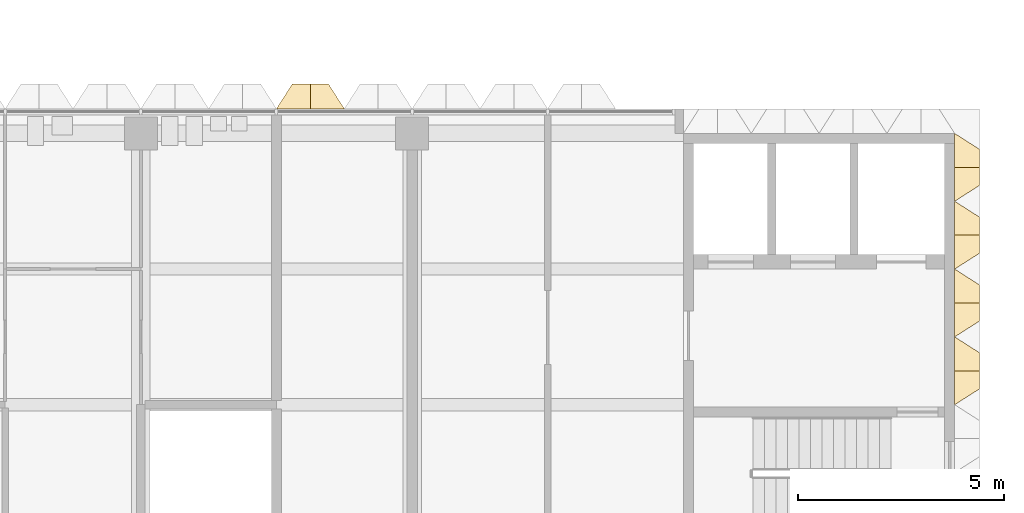
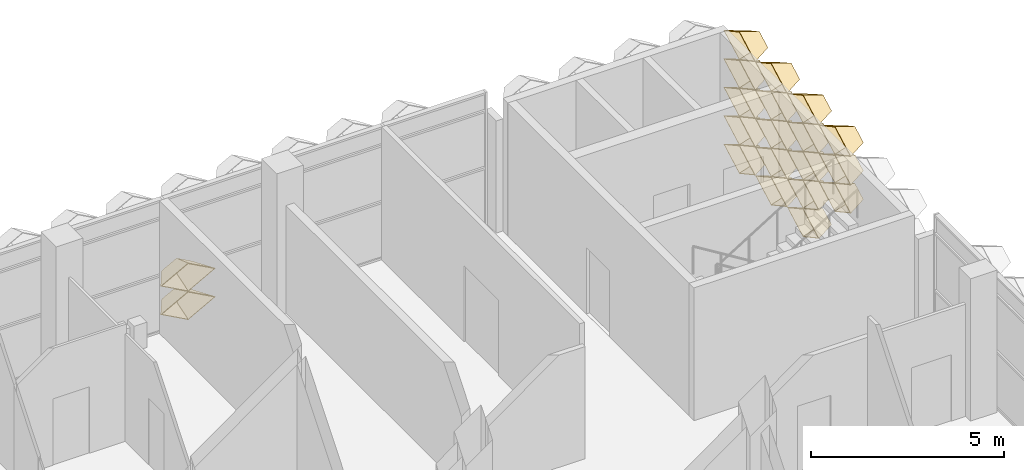
# One storey, part 35 of 39: 20 coverings.
"""IFC4 building model written with IfcOpenShell, lengths in metres."""

from ifc_helpers import new_model, entity, si_unit, direction, frame, origin, place, context, subcontext, project, spatial, material, layer, layer_set, type_object, element, save


model = new_model("IFC4")

# Units and contexts
model_context = context("Model", 3, precision=1e-05, world=origin(), true_north=direction((0.0, 1.0)))
body_context = subcontext(model_context, "Body", "Model", "MODEL_VIEW")
ifc_project = project(units=[si_unit("LENGTHUNIT", "METRE"), si_unit("AREAUNIT", "SQUARE_METRE"), si_unit("VOLUMEUNIT", "CUBIC_METRE"), si_unit("PLANEANGLEUNIT", "RADIAN"), si_unit("MASSUNIT", "GRAM", prefix="KILO")], contexts=[model_context])

# Site, building, storey
site_placement = place(None, origin())
site = spatial("IfcSite", under=ifc_project, at=site_placement, CompositionType="ELEMENT")
building_placement = place(site_placement, origin())
building = spatial("IfcBuilding", under=site, at=building_placement, Name="Lantern Court Research Institute", CompositionType="ELEMENT")
storey_placement = place(building_placement, frame((0.0, 0.0, 27.89990234375)))
storey = spatial("IfcBuildingStorey", under=building, at=storey_placement, Name="L06", CompositionType="ELEMENT", Elevation=27.89990234375)

# Coverings
ifc_material = material(Name="Anodised aluminium", Category="aluminium")
ifc_layer = layer(ifc_material, 0.01611328125)
ifc_layer_set = layer_set([ifc_layer], Name="Anodised aluminium")
covering_type = type_object("IfcCoveringType", Name="Fin cassette 1650 x 900 x 600 aluminium", PredefinedType="CLADDING", material=ifc_layer_set)
covering_1_placement = place(storey_placement, frame((79.199951171875, 18.97509765625, 0.4501953125), z_axis=(1.0, 0.0, 0.0), x_axis=(0.0, 1.0, 0.0)))
cartesian_point_1 = entity("IfcCartesianPoint", [0.824951171875, 0.0])
cartesian_point_2 = entity("IfcCartesianPoint", [0.79150390625, 0.0])
cartesian_point_3 = entity("IfcCartesianPoint", [0.44189453125, 0.0])
cartesian_point_4 = entity("IfcCartesianPoint", [0.43359375, 0.0])
element("IfcCovering", 1, at=covering_1_placement, inside=storey, type_object=covering_type, Name="Fin cassette V5E-L06 1.12", PredefinedType="CLADDING", context=body_context, shape_type="SweptSolid", body=[
    entity("IfcExtrudedAreaSolidTapered", entity("IfcArbitraryProfileDefWithVoids", "AREA", None, entity("IfcPolyline", [cartesian_point_1, entity("IfcCartesianPoint", [0.0, 0.449951171875]), entity("IfcCartesianPoint", [-0.824951171875, 0.0]), entity("IfcCartesianPoint", [0.0, -0.449951171875]), cartesian_point_1]), [entity("IfcPolyline", [cartesian_point_2, entity("IfcCartesianPoint", [0.0, 0.431884765625]), entity("IfcCartesianPoint", [-0.79150390625, 0.0]), entity("IfcCartesianPoint", [0.0, -0.431884765625]), cartesian_point_2])]), entity("IfcAxis2Placement3D", entity("IfcCartesianPoint", [0.0, 0.0, 0.0])), entity("IfcDirection", [0.0, 0.0, 1.0]), 0.60009765625, entity("IfcArbitraryProfileDefWithVoids", "AREA", None, entity("IfcPolyline", [cartesian_point_3, entity("IfcCartesianPoint", [0.0, 0.240966796875]), entity("IfcCartesianPoint", [-0.44189453125, 0.0]), entity("IfcCartesianPoint", [0.0, -0.240966796875]), cartesian_point_3]), [entity("IfcPolyline", [cartesian_point_4, entity("IfcCartesianPoint", [0.0, 0.236572265625]), entity("IfcCartesianPoint", [-0.43359375, 0.0]), entity("IfcCartesianPoint", [0.0, -0.236572265625]), cartesian_point_4])])),
])
covering_2_placement = place(storey_placement, frame((79.199951171875, 20.625, 0.4501953125), z_axis=(1.0, 0.0, 0.0), x_axis=(0.0, 1.0, 0.0)))
cartesian_point_5 = entity("IfcCartesianPoint", [0.824951171875, 0.0])
cartesian_point_6 = entity("IfcCartesianPoint", [0.79150390625, 0.0])
cartesian_point_7 = entity("IfcCartesianPoint", [0.44189453125, 0.0])
cartesian_point_8 = entity("IfcCartesianPoint", [0.43359375, 0.0])
element("IfcCovering", 2, at=covering_2_placement, inside=storey, type_object=covering_type, Name="Fin cassette V5E-L06 1.13", PredefinedType="CLADDING", context=body_context, shape_type="SweptSolid", body=[
    entity("IfcExtrudedAreaSolidTapered", entity("IfcArbitraryProfileDefWithVoids", "AREA", None, entity("IfcPolyline", [cartesian_point_5, entity("IfcCartesianPoint", [0.0, 0.449951171875]), entity("IfcCartesianPoint", [-0.824951171875, 0.0]), entity("IfcCartesianPoint", [0.0, -0.449951171875]), cartesian_point_5]), [entity("IfcPolyline", [cartesian_point_6, entity("IfcCartesianPoint", [0.0, 0.431884765625]), entity("IfcCartesianPoint", [-0.79150390625, 0.0]), entity("IfcCartesianPoint", [0.0, -0.431884765625]), cartesian_point_6])]), entity("IfcAxis2Placement3D", entity("IfcCartesianPoint", [0.0, 0.0, 0.0])), entity("IfcDirection", [0.0, 0.0, 1.0]), 0.60009765625, entity("IfcArbitraryProfileDefWithVoids", "AREA", None, entity("IfcPolyline", [cartesian_point_7, entity("IfcCartesianPoint", [0.0, 0.240966796875]), entity("IfcCartesianPoint", [-0.44189453125, 0.0]), entity("IfcCartesianPoint", [0.0, -0.240966796875]), cartesian_point_7]), [entity("IfcPolyline", [cartesian_point_8, entity("IfcCartesianPoint", [0.0, 0.236572265625]), entity("IfcCartesianPoint", [-0.43359375, 0.0]), entity("IfcCartesianPoint", [0.0, -0.236572265625]), cartesian_point_8])])),
])
covering_3_placement = place(storey_placement, frame((79.199951171875, 22.27490234375, 0.4501953125), z_axis=(1.0, 0.0, 0.0), x_axis=(0.0, 1.0, 0.0)))
cartesian_point_9 = entity("IfcCartesianPoint", [0.824951171875, 0.0])
cartesian_point_10 = entity("IfcCartesianPoint", [0.79150390625, 0.0])
cartesian_point_11 = entity("IfcCartesianPoint", [0.44189453125, 0.0])
cartesian_point_12 = entity("IfcCartesianPoint", [0.43359375, 0.0])
element("IfcCovering", 3, at=covering_3_placement, inside=storey, type_object=covering_type, Name="Fin cassette V5E-L06 1.14", PredefinedType="CLADDING", context=body_context, shape_type="SweptSolid", body=[
    entity("IfcExtrudedAreaSolidTapered", entity("IfcArbitraryProfileDefWithVoids", "AREA", None, entity("IfcPolyline", [cartesian_point_9, entity("IfcCartesianPoint", [0.0, 0.449951171875]), entity("IfcCartesianPoint", [-0.824951171875, 0.0]), entity("IfcCartesianPoint", [0.0, -0.449951171875]), cartesian_point_9]), [entity("IfcPolyline", [cartesian_point_10, entity("IfcCartesianPoint", [0.0, 0.431884765625]), entity("IfcCartesianPoint", [-0.79150390625, 0.0]), entity("IfcCartesianPoint", [0.0, -0.431884765625]), cartesian_point_10])]), entity("IfcAxis2Placement3D", entity("IfcCartesianPoint", [0.0, 0.0, 0.0])), entity("IfcDirection", [0.0, 0.0, 1.0]), 0.60009765625, entity("IfcArbitraryProfileDefWithVoids", "AREA", None, entity("IfcPolyline", [cartesian_point_11, entity("IfcCartesianPoint", [0.0, 0.240966796875]), entity("IfcCartesianPoint", [-0.44189453125, 0.0]), entity("IfcCartesianPoint", [0.0, -0.240966796875]), cartesian_point_11]), [entity("IfcPolyline", [cartesian_point_12, entity("IfcCartesianPoint", [0.0, 0.236572265625]), entity("IfcCartesianPoint", [-0.43359375, 0.0]), entity("IfcCartesianPoint", [0.0, -0.236572265625]), cartesian_point_12])])),
])
covering_4_placement = place(storey_placement, frame((79.199951171875, 18.97509765625, 1.35009765625), z_axis=(1.0, 0.0, 0.0), x_axis=(0.0, 1.0, 0.0)))
cartesian_point_13 = entity("IfcCartesianPoint", [0.824951171875, 0.0])
cartesian_point_14 = entity("IfcCartesianPoint", [0.79150390625, 0.0])
cartesian_point_15 = entity("IfcCartesianPoint", [0.44189453125, 0.0])
cartesian_point_16 = entity("IfcCartesianPoint", [0.43359375, 0.0])
element("IfcCovering", 4, at=covering_4_placement, inside=storey, type_object=covering_type, Name="Fin cassette V5E-L06 2.12", PredefinedType="CLADDING", context=body_context, shape_type="SweptSolid", body=[
    entity("IfcExtrudedAreaSolidTapered", entity("IfcArbitraryProfileDefWithVoids", "AREA", None, entity("IfcPolyline", [cartesian_point_13, entity("IfcCartesianPoint", [0.0, 0.449951171875]), entity("IfcCartesianPoint", [-0.824951171875, 0.0]), entity("IfcCartesianPoint", [0.0, -0.449951171875]), cartesian_point_13]), [entity("IfcPolyline", [cartesian_point_14, entity("IfcCartesianPoint", [0.0, 0.431884765625]), entity("IfcCartesianPoint", [-0.79150390625, 0.0]), entity("IfcCartesianPoint", [0.0, -0.431884765625]), cartesian_point_14])]), entity("IfcAxis2Placement3D", entity("IfcCartesianPoint", [0.0, 0.0, 0.0])), entity("IfcDirection", [0.0, 0.0, 1.0]), 0.60009765625, entity("IfcArbitraryProfileDefWithVoids", "AREA", None, entity("IfcPolyline", [cartesian_point_15, entity("IfcCartesianPoint", [0.0, 0.240966796875]), entity("IfcCartesianPoint", [-0.44189453125, 0.0]), entity("IfcCartesianPoint", [0.0, -0.240966796875]), cartesian_point_15]), [entity("IfcPolyline", [cartesian_point_16, entity("IfcCartesianPoint", [0.0, 0.236572265625]), entity("IfcCartesianPoint", [-0.43359375, 0.0]), entity("IfcCartesianPoint", [0.0, -0.236572265625]), cartesian_point_16])])),
])
covering_5_placement = place(storey_placement, frame((79.199951171875, 20.625, 1.35009765625), z_axis=(1.0, 0.0, 0.0), x_axis=(0.0, 1.0, 0.0)))
cartesian_point_17 = entity("IfcCartesianPoint", [0.824951171875, 0.0])
cartesian_point_18 = entity("IfcCartesianPoint", [0.79150390625, 0.0])
cartesian_point_19 = entity("IfcCartesianPoint", [0.44189453125, 0.0])
cartesian_point_20 = entity("IfcCartesianPoint", [0.43359375, 0.0])
element("IfcCovering", 5, at=covering_5_placement, inside=storey, type_object=covering_type, Name="Fin cassette V5E-L06 2.13", PredefinedType="CLADDING", context=body_context, shape_type="SweptSolid", body=[
    entity("IfcExtrudedAreaSolidTapered", entity("IfcArbitraryProfileDefWithVoids", "AREA", None, entity("IfcPolyline", [cartesian_point_17, entity("IfcCartesianPoint", [0.0, 0.449951171875]), entity("IfcCartesianPoint", [-0.824951171875, 0.0]), entity("IfcCartesianPoint", [0.0, -0.449951171875]), cartesian_point_17]), [entity("IfcPolyline", [cartesian_point_18, entity("IfcCartesianPoint", [0.0, 0.431884765625]), entity("IfcCartesianPoint", [-0.79150390625, 0.0]), entity("IfcCartesianPoint", [0.0, -0.431884765625]), cartesian_point_18])]), entity("IfcAxis2Placement3D", entity("IfcCartesianPoint", [0.0, 0.0, 0.0])), entity("IfcDirection", [0.0, 0.0, 1.0]), 0.60009765625, entity("IfcArbitraryProfileDefWithVoids", "AREA", None, entity("IfcPolyline", [cartesian_point_19, entity("IfcCartesianPoint", [0.0, 0.240966796875]), entity("IfcCartesianPoint", [-0.44189453125, 0.0]), entity("IfcCartesianPoint", [0.0, -0.240966796875]), cartesian_point_19]), [entity("IfcPolyline", [cartesian_point_20, entity("IfcCartesianPoint", [0.0, 0.236572265625]), entity("IfcCartesianPoint", [-0.43359375, 0.0]), entity("IfcCartesianPoint", [0.0, -0.236572265625]), cartesian_point_20])])),
])
covering_6_placement = place(storey_placement, frame((79.199951171875, 22.27490234375, 1.35009765625), z_axis=(1.0, 0.0, 0.0), x_axis=(0.0, 1.0, 0.0)))
cartesian_point_21 = entity("IfcCartesianPoint", [0.824951171875, 0.0])
cartesian_point_22 = entity("IfcCartesianPoint", [0.79150390625, 0.0])
cartesian_point_23 = entity("IfcCartesianPoint", [0.44189453125, 0.0])
cartesian_point_24 = entity("IfcCartesianPoint", [0.43359375, 0.0])
element("IfcCovering", 6, at=covering_6_placement, inside=storey, type_object=covering_type, Name="Fin cassette V5E-L06 2.14", PredefinedType="CLADDING", context=body_context, shape_type="SweptSolid", body=[
    entity("IfcExtrudedAreaSolidTapered", entity("IfcArbitraryProfileDefWithVoids", "AREA", None, entity("IfcPolyline", [cartesian_point_21, entity("IfcCartesianPoint", [0.0, 0.449951171875]), entity("IfcCartesianPoint", [-0.824951171875, 0.0]), entity("IfcCartesianPoint", [0.0, -0.449951171875]), cartesian_point_21]), [entity("IfcPolyline", [cartesian_point_22, entity("IfcCartesianPoint", [0.0, 0.431884765625]), entity("IfcCartesianPoint", [-0.79150390625, 0.0]), entity("IfcCartesianPoint", [0.0, -0.431884765625]), cartesian_point_22])]), entity("IfcAxis2Placement3D", entity("IfcCartesianPoint", [0.0, 0.0, 0.0])), entity("IfcDirection", [0.0, 0.0, 1.0]), 0.60009765625, entity("IfcArbitraryProfileDefWithVoids", "AREA", None, entity("IfcPolyline", [cartesian_point_23, entity("IfcCartesianPoint", [0.0, 0.240966796875]), entity("IfcCartesianPoint", [-0.44189453125, 0.0]), entity("IfcCartesianPoint", [0.0, -0.240966796875]), cartesian_point_23]), [entity("IfcPolyline", [cartesian_point_24, entity("IfcCartesianPoint", [0.0, 0.236572265625]), entity("IfcCartesianPoint", [-0.43359375, 0.0]), entity("IfcCartesianPoint", [0.0, -0.236572265625]), cartesian_point_24])])),
])
covering_7_placement = place(storey_placement, frame((79.199951171875, 17.324951171875, 2.25), z_axis=(1.0, 0.0, 0.0), x_axis=(0.0, 1.0, 0.0)))
cartesian_point_25 = entity("IfcCartesianPoint", [0.824951171875, 0.0])
cartesian_point_26 = entity("IfcCartesianPoint", [0.79150390625, 0.0])
cartesian_point_27 = entity("IfcCartesianPoint", [0.44189453125, 0.0])
cartesian_point_28 = entity("IfcCartesianPoint", [0.43359375, 0.0])
element("IfcCovering", 7, at=covering_7_placement, inside=storey, type_object=covering_type, Name="Fin cassette V5E-L06 3.11", PredefinedType="CLADDING", context=body_context, shape_type="SweptSolid", body=[
    entity("IfcExtrudedAreaSolidTapered", entity("IfcArbitraryProfileDefWithVoids", "AREA", None, entity("IfcPolyline", [cartesian_point_25, entity("IfcCartesianPoint", [0.0, 0.449951171875]), entity("IfcCartesianPoint", [-0.824951171875, 0.0]), entity("IfcCartesianPoint", [0.0, -0.449951171875]), cartesian_point_25]), [entity("IfcPolyline", [cartesian_point_26, entity("IfcCartesianPoint", [0.0, 0.431884765625]), entity("IfcCartesianPoint", [-0.79150390625, 0.0]), entity("IfcCartesianPoint", [0.0, -0.431884765625]), cartesian_point_26])]), entity("IfcAxis2Placement3D", entity("IfcCartesianPoint", [0.0, 0.0, 0.0])), entity("IfcDirection", [0.0, 0.0, 1.0]), 0.60009765625, entity("IfcArbitraryProfileDefWithVoids", "AREA", None, entity("IfcPolyline", [cartesian_point_27, entity("IfcCartesianPoint", [0.0, 0.240966796875]), entity("IfcCartesianPoint", [-0.44189453125, 0.0]), entity("IfcCartesianPoint", [0.0, -0.240966796875]), cartesian_point_27]), [entity("IfcPolyline", [cartesian_point_28, entity("IfcCartesianPoint", [0.0, 0.236572265625]), entity("IfcCartesianPoint", [-0.43359375, 0.0]), entity("IfcCartesianPoint", [0.0, -0.236572265625]), cartesian_point_28])])),
])
covering_8_placement = place(storey_placement, frame((79.199951171875, 18.97509765625, 2.25), z_axis=(1.0, 0.0, 0.0), x_axis=(0.0, 1.0, 0.0)))
cartesian_point_29 = entity("IfcCartesianPoint", [0.824951171875, 0.0])
cartesian_point_30 = entity("IfcCartesianPoint", [0.79150390625, 0.0])
cartesian_point_31 = entity("IfcCartesianPoint", [0.44189453125, 0.0])
cartesian_point_32 = entity("IfcCartesianPoint", [0.43359375, 0.0])
element("IfcCovering", 8, at=covering_8_placement, inside=storey, type_object=covering_type, Name="Fin cassette V5E-L06 3.12", PredefinedType="CLADDING", context=body_context, shape_type="SweptSolid", body=[
    entity("IfcExtrudedAreaSolidTapered", entity("IfcArbitraryProfileDefWithVoids", "AREA", None, entity("IfcPolyline", [cartesian_point_29, entity("IfcCartesianPoint", [0.0, 0.449951171875]), entity("IfcCartesianPoint", [-0.824951171875, 0.0]), entity("IfcCartesianPoint", [0.0, -0.449951171875]), cartesian_point_29]), [entity("IfcPolyline", [cartesian_point_30, entity("IfcCartesianPoint", [0.0, 0.431884765625]), entity("IfcCartesianPoint", [-0.79150390625, 0.0]), entity("IfcCartesianPoint", [0.0, -0.431884765625]), cartesian_point_30])]), entity("IfcAxis2Placement3D", entity("IfcCartesianPoint", [0.0, 0.0, 0.0])), entity("IfcDirection", [0.0, 0.0, 1.0]), 0.60009765625, entity("IfcArbitraryProfileDefWithVoids", "AREA", None, entity("IfcPolyline", [cartesian_point_31, entity("IfcCartesianPoint", [0.0, 0.240966796875]), entity("IfcCartesianPoint", [-0.44189453125, 0.0]), entity("IfcCartesianPoint", [0.0, -0.240966796875]), cartesian_point_31]), [entity("IfcPolyline", [cartesian_point_32, entity("IfcCartesianPoint", [0.0, 0.236572265625]), entity("IfcCartesianPoint", [-0.43359375, 0.0]), entity("IfcCartesianPoint", [0.0, -0.236572265625]), cartesian_point_32])])),
])
covering_9_placement = place(storey_placement, frame((79.199951171875, 20.625, 2.25), z_axis=(1.0, 0.0, 0.0), x_axis=(0.0, 1.0, 0.0)))
cartesian_point_33 = entity("IfcCartesianPoint", [0.824951171875, 0.0])
cartesian_point_34 = entity("IfcCartesianPoint", [0.79150390625, 0.0])
cartesian_point_35 = entity("IfcCartesianPoint", [0.44189453125, 0.0])
cartesian_point_36 = entity("IfcCartesianPoint", [0.43359375, 0.0])
element("IfcCovering", 9, at=covering_9_placement, inside=storey, type_object=covering_type, Name="Fin cassette V5E-L06 3.13", PredefinedType="CLADDING", context=body_context, shape_type="SweptSolid", body=[
    entity("IfcExtrudedAreaSolidTapered", entity("IfcArbitraryProfileDefWithVoids", "AREA", None, entity("IfcPolyline", [cartesian_point_33, entity("IfcCartesianPoint", [0.0, 0.449951171875]), entity("IfcCartesianPoint", [-0.824951171875, 0.0]), entity("IfcCartesianPoint", [0.0, -0.449951171875]), cartesian_point_33]), [entity("IfcPolyline", [cartesian_point_34, entity("IfcCartesianPoint", [0.0, 0.431884765625]), entity("IfcCartesianPoint", [-0.79150390625, 0.0]), entity("IfcCartesianPoint", [0.0, -0.431884765625]), cartesian_point_34])]), entity("IfcAxis2Placement3D", entity("IfcCartesianPoint", [0.0, 0.0, 0.0])), entity("IfcDirection", [0.0, 0.0, 1.0]), 0.60009765625, entity("IfcArbitraryProfileDefWithVoids", "AREA", None, entity("IfcPolyline", [cartesian_point_35, entity("IfcCartesianPoint", [0.0, 0.240966796875]), entity("IfcCartesianPoint", [-0.44189453125, 0.0]), entity("IfcCartesianPoint", [0.0, -0.240966796875]), cartesian_point_35]), [entity("IfcPolyline", [cartesian_point_36, entity("IfcCartesianPoint", [0.0, 0.236572265625]), entity("IfcCartesianPoint", [-0.43359375, 0.0]), entity("IfcCartesianPoint", [0.0, -0.236572265625]), cartesian_point_36])])),
])
covering_10_placement = place(storey_placement, frame((79.199951171875, 22.27490234375, 2.25), z_axis=(1.0, 0.0, 0.0), x_axis=(0.0, 1.0, 0.0)))
cartesian_point_37 = entity("IfcCartesianPoint", [0.824951171875, 0.0])
cartesian_point_38 = entity("IfcCartesianPoint", [0.79150390625, 0.0])
cartesian_point_39 = entity("IfcCartesianPoint", [0.44189453125, 0.0])
cartesian_point_40 = entity("IfcCartesianPoint", [0.43359375, 0.0])
element("IfcCovering", 10, at=covering_10_placement, inside=storey, type_object=covering_type, Name="Fin cassette V5E-L06 3.14", PredefinedType="CLADDING", context=body_context, shape_type="SweptSolid", body=[
    entity("IfcExtrudedAreaSolidTapered", entity("IfcArbitraryProfileDefWithVoids", "AREA", None, entity("IfcPolyline", [cartesian_point_37, entity("IfcCartesianPoint", [0.0, 0.449951171875]), entity("IfcCartesianPoint", [-0.824951171875, 0.0]), entity("IfcCartesianPoint", [0.0, -0.449951171875]), cartesian_point_37]), [entity("IfcPolyline", [cartesian_point_38, entity("IfcCartesianPoint", [0.0, 0.431884765625]), entity("IfcCartesianPoint", [-0.79150390625, 0.0]), entity("IfcCartesianPoint", [0.0, -0.431884765625]), cartesian_point_38])]), entity("IfcAxis2Placement3D", entity("IfcCartesianPoint", [0.0, 0.0, 0.0])), entity("IfcDirection", [0.0, 0.0, 1.0]), 0.60009765625, entity("IfcArbitraryProfileDefWithVoids", "AREA", None, entity("IfcPolyline", [cartesian_point_39, entity("IfcCartesianPoint", [0.0, 0.240966796875]), entity("IfcCartesianPoint", [-0.44189453125, 0.0]), entity("IfcCartesianPoint", [0.0, -0.240966796875]), cartesian_point_39]), [entity("IfcPolyline", [cartesian_point_40, entity("IfcCartesianPoint", [0.0, 0.236572265625]), entity("IfcCartesianPoint", [-0.43359375, 0.0]), entity("IfcCartesianPoint", [0.0, -0.236572265625]), cartesian_point_40])])),
])
covering_11_placement = place(storey_placement, frame((79.199951171875, 17.324951171875, 3.150146484375), z_axis=(1.0, 0.0, 0.0), x_axis=(0.0, 1.0, 0.0)))
cartesian_point_41 = entity("IfcCartesianPoint", [0.824951171875, 0.0])
cartesian_point_42 = entity("IfcCartesianPoint", [0.79150390625, 0.0])
cartesian_point_43 = entity("IfcCartesianPoint", [0.44189453125, 0.0])
cartesian_point_44 = entity("IfcCartesianPoint", [0.43359375, 0.0])
element("IfcCovering", 11, at=covering_11_placement, inside=storey, type_object=covering_type, Name="Fin cassette V5E-L06 4.11", PredefinedType="CLADDING", context=body_context, shape_type="SweptSolid", body=[
    entity("IfcExtrudedAreaSolidTapered", entity("IfcArbitraryProfileDefWithVoids", "AREA", None, entity("IfcPolyline", [cartesian_point_41, entity("IfcCartesianPoint", [0.0, 0.449951171875]), entity("IfcCartesianPoint", [-0.824951171875, 0.0]), entity("IfcCartesianPoint", [0.0, -0.449951171875]), cartesian_point_41]), [entity("IfcPolyline", [cartesian_point_42, entity("IfcCartesianPoint", [0.0, 0.431884765625]), entity("IfcCartesianPoint", [-0.79150390625, 0.0]), entity("IfcCartesianPoint", [0.0, -0.431884765625]), cartesian_point_42])]), entity("IfcAxis2Placement3D", entity("IfcCartesianPoint", [0.0, 0.0, 0.0])), entity("IfcDirection", [0.0, 0.0, 1.0]), 0.60009765625, entity("IfcArbitraryProfileDefWithVoids", "AREA", None, entity("IfcPolyline", [cartesian_point_43, entity("IfcCartesianPoint", [0.0, 0.240966796875]), entity("IfcCartesianPoint", [-0.44189453125, 0.0]), entity("IfcCartesianPoint", [0.0, -0.240966796875]), cartesian_point_43]), [entity("IfcPolyline", [cartesian_point_44, entity("IfcCartesianPoint", [0.0, 0.236572265625]), entity("IfcCartesianPoint", [-0.43359375, 0.0]), entity("IfcCartesianPoint", [0.0, -0.236572265625]), cartesian_point_44])])),
])
covering_12_placement = place(storey_placement, frame((79.199951171875, 18.97509765625, 3.150146484375), z_axis=(1.0, 0.0, 0.0), x_axis=(0.0, 1.0, 0.0)))
cartesian_point_45 = entity("IfcCartesianPoint", [0.824951171875, 0.0])
cartesian_point_46 = entity("IfcCartesianPoint", [0.79150390625, 0.0])
cartesian_point_47 = entity("IfcCartesianPoint", [0.44189453125, 0.0])
cartesian_point_48 = entity("IfcCartesianPoint", [0.43359375, 0.0])
element("IfcCovering", 12, at=covering_12_placement, inside=storey, type_object=covering_type, Name="Fin cassette V5E-L06 4.12", PredefinedType="CLADDING", context=body_context, shape_type="SweptSolid", body=[
    entity("IfcExtrudedAreaSolidTapered", entity("IfcArbitraryProfileDefWithVoids", "AREA", None, entity("IfcPolyline", [cartesian_point_45, entity("IfcCartesianPoint", [0.0, 0.449951171875]), entity("IfcCartesianPoint", [-0.824951171875, 0.0]), entity("IfcCartesianPoint", [0.0, -0.449951171875]), cartesian_point_45]), [entity("IfcPolyline", [cartesian_point_46, entity("IfcCartesianPoint", [0.0, 0.431884765625]), entity("IfcCartesianPoint", [-0.79150390625, 0.0]), entity("IfcCartesianPoint", [0.0, -0.431884765625]), cartesian_point_46])]), entity("IfcAxis2Placement3D", entity("IfcCartesianPoint", [0.0, 0.0, 0.0])), entity("IfcDirection", [0.0, 0.0, 1.0]), 0.60009765625, entity("IfcArbitraryProfileDefWithVoids", "AREA", None, entity("IfcPolyline", [cartesian_point_47, entity("IfcCartesianPoint", [0.0, 0.240966796875]), entity("IfcCartesianPoint", [-0.44189453125, 0.0]), entity("IfcCartesianPoint", [0.0, -0.240966796875]), cartesian_point_47]), [entity("IfcPolyline", [cartesian_point_48, entity("IfcCartesianPoint", [0.0, 0.236572265625]), entity("IfcCartesianPoint", [-0.43359375, 0.0]), entity("IfcCartesianPoint", [0.0, -0.236572265625]), cartesian_point_48])])),
])
covering_13_placement = place(storey_placement, frame((79.199951171875, 20.625, 3.150146484375), z_axis=(1.0, 0.0, 0.0), x_axis=(0.0, 1.0, 0.0)))
cartesian_point_49 = entity("IfcCartesianPoint", [0.824951171875, 0.0])
cartesian_point_50 = entity("IfcCartesianPoint", [0.79150390625, 0.0])
cartesian_point_51 = entity("IfcCartesianPoint", [0.44189453125, 0.0])
cartesian_point_52 = entity("IfcCartesianPoint", [0.43359375, 0.0])
element("IfcCovering", 13, at=covering_13_placement, inside=storey, type_object=covering_type, Name="Fin cassette V5E-L06 4.13", PredefinedType="CLADDING", context=body_context, shape_type="SweptSolid", body=[
    entity("IfcExtrudedAreaSolidTapered", entity("IfcArbitraryProfileDefWithVoids", "AREA", None, entity("IfcPolyline", [cartesian_point_49, entity("IfcCartesianPoint", [0.0, 0.449951171875]), entity("IfcCartesianPoint", [-0.824951171875, 0.0]), entity("IfcCartesianPoint", [0.0, -0.449951171875]), cartesian_point_49]), [entity("IfcPolyline", [cartesian_point_50, entity("IfcCartesianPoint", [0.0, 0.431884765625]), entity("IfcCartesianPoint", [-0.79150390625, 0.0]), entity("IfcCartesianPoint", [0.0, -0.431884765625]), cartesian_point_50])]), entity("IfcAxis2Placement3D", entity("IfcCartesianPoint", [0.0, 0.0, 0.0])), entity("IfcDirection", [0.0, 0.0, 1.0]), 0.60009765625, entity("IfcArbitraryProfileDefWithVoids", "AREA", None, entity("IfcPolyline", [cartesian_point_51, entity("IfcCartesianPoint", [0.0, 0.240966796875]), entity("IfcCartesianPoint", [-0.44189453125, 0.0]), entity("IfcCartesianPoint", [0.0, -0.240966796875]), cartesian_point_51]), [entity("IfcPolyline", [cartesian_point_52, entity("IfcCartesianPoint", [0.0, 0.236572265625]), entity("IfcCartesianPoint", [-0.43359375, 0.0]), entity("IfcCartesianPoint", [0.0, -0.236572265625]), cartesian_point_52])])),
])
covering_14_placement = place(storey_placement, frame((79.199951171875, 22.27490234375, 3.150146484375), z_axis=(1.0, 0.0, 0.0), x_axis=(0.0, 1.0, 0.0)))
cartesian_point_53 = entity("IfcCartesianPoint", [0.824951171875, 0.0])
cartesian_point_54 = entity("IfcCartesianPoint", [0.79150390625, 0.0])
cartesian_point_55 = entity("IfcCartesianPoint", [0.44189453125, 0.0])
cartesian_point_56 = entity("IfcCartesianPoint", [0.43359375, 0.0])
element("IfcCovering", 14, at=covering_14_placement, inside=storey, type_object=covering_type, Name="Fin cassette V5E-L06 4.14", PredefinedType="CLADDING", context=body_context, shape_type="SweptSolid", body=[
    entity("IfcExtrudedAreaSolidTapered", entity("IfcArbitraryProfileDefWithVoids", "AREA", None, entity("IfcPolyline", [cartesian_point_53, entity("IfcCartesianPoint", [0.0, 0.449951171875]), entity("IfcCartesianPoint", [-0.824951171875, 0.0]), entity("IfcCartesianPoint", [0.0, -0.449951171875]), cartesian_point_53]), [entity("IfcPolyline", [cartesian_point_54, entity("IfcCartesianPoint", [0.0, 0.431884765625]), entity("IfcCartesianPoint", [-0.79150390625, 0.0]), entity("IfcCartesianPoint", [0.0, -0.431884765625]), cartesian_point_54])]), entity("IfcAxis2Placement3D", entity("IfcCartesianPoint", [0.0, 0.0, 0.0])), entity("IfcDirection", [0.0, 0.0, 1.0]), 0.60009765625, entity("IfcArbitraryProfileDefWithVoids", "AREA", None, entity("IfcPolyline", [cartesian_point_55, entity("IfcCartesianPoint", [0.0, 0.240966796875]), entity("IfcCartesianPoint", [-0.44189453125, 0.0]), entity("IfcCartesianPoint", [0.0, -0.240966796875]), cartesian_point_55]), [entity("IfcPolyline", [cartesian_point_56, entity("IfcCartesianPoint", [0.0, 0.236572265625]), entity("IfcCartesianPoint", [-0.43359375, 0.0]), entity("IfcCartesianPoint", [0.0, -0.236572265625]), cartesian_point_56])])),
])
covering_15_placement = place(storey_placement, frame((79.199951171875, 17.324951171875, 4.050048828125), z_axis=(1.0, 0.0, 0.0), x_axis=(0.0, 1.0, 0.0)))
cartesian_point_57 = entity("IfcCartesianPoint", [0.824951171875, 0.0])
cartesian_point_58 = entity("IfcCartesianPoint", [0.79150390625, 0.0])
cartesian_point_59 = entity("IfcCartesianPoint", [0.44189453125, 0.0])
cartesian_point_60 = entity("IfcCartesianPoint", [0.43359375, 0.0])
element("IfcCovering", 15, at=covering_15_placement, inside=storey, type_object=covering_type, Name="Fin cassette V5E-L06 5.11", PredefinedType="CLADDING", context=body_context, shape_type="SweptSolid", body=[
    entity("IfcExtrudedAreaSolidTapered", entity("IfcArbitraryProfileDefWithVoids", "AREA", None, entity("IfcPolyline", [cartesian_point_57, entity("IfcCartesianPoint", [0.0, 0.449951171875]), entity("IfcCartesianPoint", [-0.824951171875, 0.0]), entity("IfcCartesianPoint", [0.0, -0.449951171875]), cartesian_point_57]), [entity("IfcPolyline", [cartesian_point_58, entity("IfcCartesianPoint", [0.0, 0.431884765625]), entity("IfcCartesianPoint", [-0.79150390625, 0.0]), entity("IfcCartesianPoint", [0.0, -0.431884765625]), cartesian_point_58])]), entity("IfcAxis2Placement3D", entity("IfcCartesianPoint", [0.0, 0.0, 0.0])), entity("IfcDirection", [0.0, 0.0, 1.0]), 0.60009765625, entity("IfcArbitraryProfileDefWithVoids", "AREA", None, entity("IfcPolyline", [cartesian_point_59, entity("IfcCartesianPoint", [0.0, 0.240966796875]), entity("IfcCartesianPoint", [-0.44189453125, 0.0]), entity("IfcCartesianPoint", [0.0, -0.240966796875]), cartesian_point_59]), [entity("IfcPolyline", [cartesian_point_60, entity("IfcCartesianPoint", [0.0, 0.236572265625]), entity("IfcCartesianPoint", [-0.43359375, 0.0]), entity("IfcCartesianPoint", [0.0, -0.236572265625]), cartesian_point_60])])),
])
covering_16_placement = place(storey_placement, frame((79.199951171875, 18.97509765625, 4.050048828125), z_axis=(1.0, 0.0, 0.0), x_axis=(0.0, 1.0, 0.0)))
cartesian_point_61 = entity("IfcCartesianPoint", [0.824951171875, 0.0])
cartesian_point_62 = entity("IfcCartesianPoint", [0.79150390625, 0.0])
cartesian_point_63 = entity("IfcCartesianPoint", [0.44189453125, 0.0])
cartesian_point_64 = entity("IfcCartesianPoint", [0.43359375, 0.0])
element("IfcCovering", 16, at=covering_16_placement, inside=storey, type_object=covering_type, Name="Fin cassette V5E-L06 5.12", PredefinedType="CLADDING", context=body_context, shape_type="SweptSolid", body=[
    entity("IfcExtrudedAreaSolidTapered", entity("IfcArbitraryProfileDefWithVoids", "AREA", None, entity("IfcPolyline", [cartesian_point_61, entity("IfcCartesianPoint", [0.0, 0.449951171875]), entity("IfcCartesianPoint", [-0.824951171875, 0.0]), entity("IfcCartesianPoint", [0.0, -0.449951171875]), cartesian_point_61]), [entity("IfcPolyline", [cartesian_point_62, entity("IfcCartesianPoint", [0.0, 0.431884765625]), entity("IfcCartesianPoint", [-0.79150390625, 0.0]), entity("IfcCartesianPoint", [0.0, -0.431884765625]), cartesian_point_62])]), entity("IfcAxis2Placement3D", entity("IfcCartesianPoint", [0.0, 0.0, 0.0])), entity("IfcDirection", [0.0, 0.0, 1.0]), 0.60009765625, entity("IfcArbitraryProfileDefWithVoids", "AREA", None, entity("IfcPolyline", [cartesian_point_63, entity("IfcCartesianPoint", [0.0, 0.240966796875]), entity("IfcCartesianPoint", [-0.44189453125, 0.0]), entity("IfcCartesianPoint", [0.0, -0.240966796875]), cartesian_point_63]), [entity("IfcPolyline", [cartesian_point_64, entity("IfcCartesianPoint", [0.0, 0.236572265625]), entity("IfcCartesianPoint", [-0.43359375, 0.0]), entity("IfcCartesianPoint", [0.0, -0.236572265625]), cartesian_point_64])])),
])
covering_17_placement = place(storey_placement, frame((79.199951171875, 20.625, 4.050048828125), z_axis=(1.0, 0.0, 0.0), x_axis=(0.0, 1.0, 0.0)))
cartesian_point_65 = entity("IfcCartesianPoint", [0.824951171875, 0.0])
cartesian_point_66 = entity("IfcCartesianPoint", [0.79150390625, 0.0])
cartesian_point_67 = entity("IfcCartesianPoint", [0.44189453125, 0.0])
cartesian_point_68 = entity("IfcCartesianPoint", [0.43359375, 0.0])
element("IfcCovering", 17, at=covering_17_placement, inside=storey, type_object=covering_type, Name="Fin cassette V5E-L06 5.13", PredefinedType="CLADDING", context=body_context, shape_type="SweptSolid", body=[
    entity("IfcExtrudedAreaSolidTapered", entity("IfcArbitraryProfileDefWithVoids", "AREA", None, entity("IfcPolyline", [cartesian_point_65, entity("IfcCartesianPoint", [0.0, 0.449951171875]), entity("IfcCartesianPoint", [-0.824951171875, 0.0]), entity("IfcCartesianPoint", [0.0, -0.449951171875]), cartesian_point_65]), [entity("IfcPolyline", [cartesian_point_66, entity("IfcCartesianPoint", [0.0, 0.431884765625]), entity("IfcCartesianPoint", [-0.79150390625, 0.0]), entity("IfcCartesianPoint", [0.0, -0.431884765625]), cartesian_point_66])]), entity("IfcAxis2Placement3D", entity("IfcCartesianPoint", [0.0, 0.0, 0.0])), entity("IfcDirection", [0.0, 0.0, 1.0]), 0.60009765625, entity("IfcArbitraryProfileDefWithVoids", "AREA", None, entity("IfcPolyline", [cartesian_point_67, entity("IfcCartesianPoint", [0.0, 0.240966796875]), entity("IfcCartesianPoint", [-0.44189453125, 0.0]), entity("IfcCartesianPoint", [0.0, -0.240966796875]), cartesian_point_67]), [entity("IfcPolyline", [cartesian_point_68, entity("IfcCartesianPoint", [0.0, 0.236572265625]), entity("IfcCartesianPoint", [-0.43359375, 0.0]), entity("IfcCartesianPoint", [0.0, -0.236572265625]), cartesian_point_68])])),
])
covering_18_placement = place(storey_placement, frame((79.199951171875, 22.27490234375, 4.050048828125), z_axis=(1.0, 0.0, 0.0), x_axis=(0.0, 1.0, 0.0)))
cartesian_point_69 = entity("IfcCartesianPoint", [0.824951171875, 0.0])
cartesian_point_70 = entity("IfcCartesianPoint", [0.79150390625, 0.0])
cartesian_point_71 = entity("IfcCartesianPoint", [0.44189453125, 0.0])
cartesian_point_72 = entity("IfcCartesianPoint", [0.43359375, 0.0])
element("IfcCovering", 18, at=covering_18_placement, inside=storey, type_object=covering_type, Name="Fin cassette V5E-L06 5.14", PredefinedType="CLADDING", context=body_context, shape_type="SweptSolid", body=[
    entity("IfcExtrudedAreaSolidTapered", entity("IfcArbitraryProfileDefWithVoids", "AREA", None, entity("IfcPolyline", [cartesian_point_69, entity("IfcCartesianPoint", [0.0, 0.449951171875]), entity("IfcCartesianPoint", [-0.824951171875, 0.0]), entity("IfcCartesianPoint", [0.0, -0.449951171875]), cartesian_point_69]), [entity("IfcPolyline", [cartesian_point_70, entity("IfcCartesianPoint", [0.0, 0.431884765625]), entity("IfcCartesianPoint", [-0.79150390625, 0.0]), entity("IfcCartesianPoint", [0.0, -0.431884765625]), cartesian_point_70])]), entity("IfcAxis2Placement3D", entity("IfcCartesianPoint", [0.0, 0.0, 0.0])), entity("IfcDirection", [0.0, 0.0, 1.0]), 0.60009765625, entity("IfcArbitraryProfileDefWithVoids", "AREA", None, entity("IfcPolyline", [cartesian_point_71, entity("IfcCartesianPoint", [0.0, 0.240966796875]), entity("IfcCartesianPoint", [-0.44189453125, 0.0]), entity("IfcCartesianPoint", [0.0, -0.240966796875]), cartesian_point_71]), [entity("IfcPolyline", [cartesian_point_72, entity("IfcCartesianPoint", [0.0, 0.236572265625]), entity("IfcCartesianPoint", [-0.43359375, 0.0]), entity("IfcCartesianPoint", [0.0, -0.236572265625]), cartesian_point_72])])),
])
covering_19_placement = place(storey_placement, frame((63.52490234375, 23.699951171875, 0.4501953125), z_axis=(0.0, 1.0, 0.0), x_axis=(-1.0, 0.0, 0.0)))
cartesian_point_73 = entity("IfcCartesianPoint", [0.824951171875, 0.0])
cartesian_point_74 = entity("IfcCartesianPoint", [0.79150390625, 0.0])
cartesian_point_75 = entity("IfcCartesianPoint", [0.44189453125, 0.0])
cartesian_point_76 = entity("IfcCartesianPoint", [0.43359375, 0.0])
element("IfcCovering", 19, at=covering_19_placement, inside=storey, type_object=covering_type, Name="Fin cassette V5N-L06 1.39", PredefinedType="CLADDING", context=body_context, shape_type="SweptSolid", body=[
    entity("IfcExtrudedAreaSolidTapered", entity("IfcArbitraryProfileDefWithVoids", "AREA", None, entity("IfcPolyline", [cartesian_point_73, entity("IfcCartesianPoint", [0.0, 0.449951171875]), entity("IfcCartesianPoint", [-0.824951171875, 0.0]), entity("IfcCartesianPoint", [0.0, -0.449951171875]), cartesian_point_73]), [entity("IfcPolyline", [cartesian_point_74, entity("IfcCartesianPoint", [0.0, 0.431884765625]), entity("IfcCartesianPoint", [-0.79150390625, 0.0]), entity("IfcCartesianPoint", [0.0, -0.431884765625]), cartesian_point_74])]), entity("IfcAxis2Placement3D", entity("IfcCartesianPoint", [0.0, 0.0, 0.0])), entity("IfcDirection", [0.0, 0.0, 1.0]), 0.60009765625, entity("IfcArbitraryProfileDefWithVoids", "AREA", None, entity("IfcPolyline", [cartesian_point_75, entity("IfcCartesianPoint", [0.0, 0.240966796875]), entity("IfcCartesianPoint", [-0.44189453125, 0.0]), entity("IfcCartesianPoint", [0.0, -0.240966796875]), cartesian_point_75]), [entity("IfcPolyline", [cartesian_point_76, entity("IfcCartesianPoint", [0.0, 0.236572265625]), entity("IfcCartesianPoint", [-0.43359375, 0.0]), entity("IfcCartesianPoint", [0.0, -0.236572265625]), cartesian_point_76])])),
])
covering_20_placement = place(storey_placement, frame((63.52490234375, 23.699951171875, 1.35009765625), z_axis=(0.0, 1.0, 0.0), x_axis=(-1.0, 0.0, 0.0)))
cartesian_point_77 = entity("IfcCartesianPoint", [0.824951171875, 0.0])
cartesian_point_78 = entity("IfcCartesianPoint", [0.79150390625, 0.0])
cartesian_point_79 = entity("IfcCartesianPoint", [0.44189453125, 0.0])
cartesian_point_80 = entity("IfcCartesianPoint", [0.43359375, 0.0])
element("IfcCovering", 20, at=covering_20_placement, inside=storey, type_object=covering_type, Name="Fin cassette V5N-L06 2.39", PredefinedType="CLADDING", context=body_context, shape_type="SweptSolid", body=[
    entity("IfcExtrudedAreaSolidTapered", entity("IfcArbitraryProfileDefWithVoids", "AREA", None, entity("IfcPolyline", [cartesian_point_77, entity("IfcCartesianPoint", [0.0, 0.449951171875]), entity("IfcCartesianPoint", [-0.824951171875, 0.0]), entity("IfcCartesianPoint", [0.0, -0.449951171875]), cartesian_point_77]), [entity("IfcPolyline", [cartesian_point_78, entity("IfcCartesianPoint", [0.0, 0.431884765625]), entity("IfcCartesianPoint", [-0.79150390625, 0.0]), entity("IfcCartesianPoint", [0.0, -0.431884765625]), cartesian_point_78])]), entity("IfcAxis2Placement3D", entity("IfcCartesianPoint", [0.0, 0.0, 0.0])), entity("IfcDirection", [0.0, 0.0, 1.0]), 0.60009765625, entity("IfcArbitraryProfileDefWithVoids", "AREA", None, entity("IfcPolyline", [cartesian_point_79, entity("IfcCartesianPoint", [0.0, 0.240966796875]), entity("IfcCartesianPoint", [-0.44189453125, 0.0]), entity("IfcCartesianPoint", [0.0, -0.240966796875]), cartesian_point_79]), [entity("IfcPolyline", [cartesian_point_80, entity("IfcCartesianPoint", [0.0, 0.236572265625]), entity("IfcCartesianPoint", [-0.43359375, 0.0]), entity("IfcCartesianPoint", [0.0, -0.236572265625]), cartesian_point_80])])),
])

save(model, "model.ifc")
